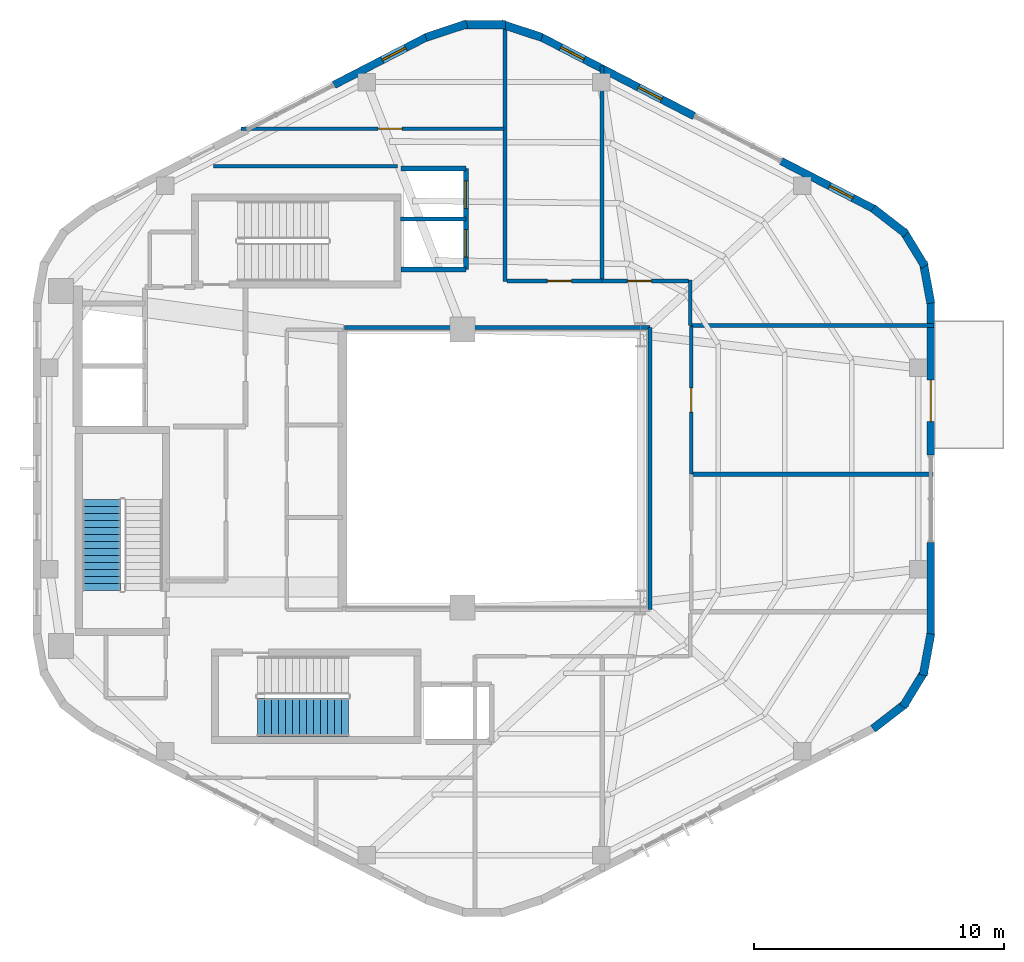
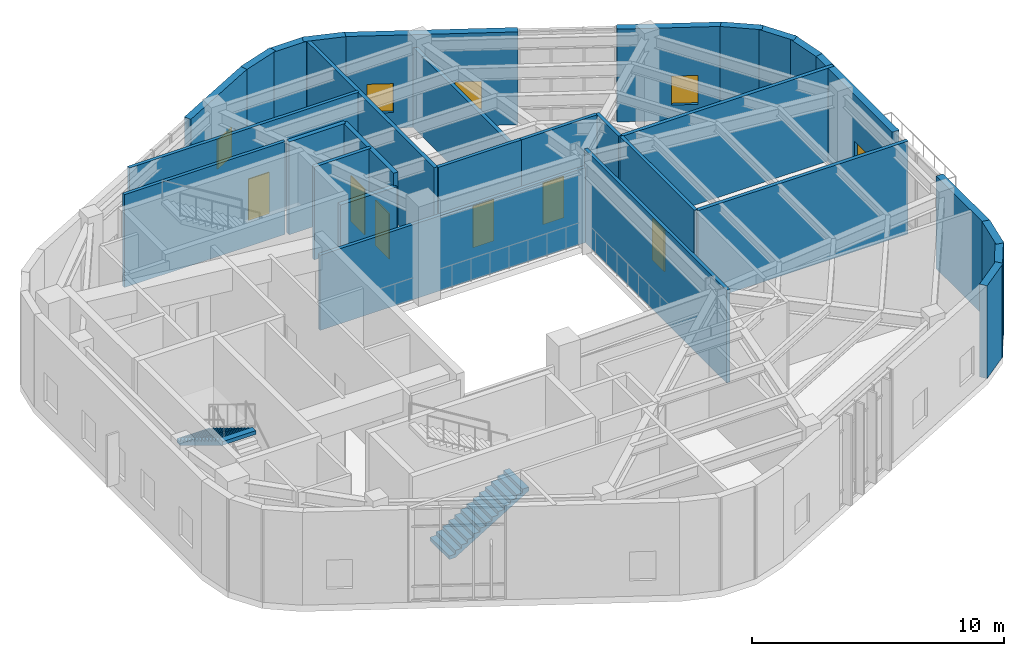
# One storey, part 16 of 19: 30 walls, 7 doors, 4 windows, 2 stair flights, 11 openings, 2 elements without a shape of their own.
"""IFC4 building model written with IfcOpenShell, lengths in metres."""

import ifcopenshell
import ifcopenshell.guid

model = None  # the IFC model being written
_history = None  # IfcOwnerHistory: only IFC2X3 demands one
_inside = {}  # id of a spatial element -> (the spatial element, [elements in it])
_under = {}  # id of a project, library or spatial element -> (it, [spatial elements below it])
_declared = {}  # id of a project -> (the project, [libraries it declares])
_typed = {}  # id of a type object -> (the type object, [elements of that type])
_made_of = {}  # id of a material, layer set ... -> (it, [elements and type objects made of it])


def new_model(schema):
    """Start an empty IFC model of exactly this schema.

    Asked for "IFC4X3", IfcOpenShell would pick the latest addendum, in which some entities
    have other attributes; the version numbers below select the first issue.
    IFC2X3 requires an IfcOwnerHistory on every rooted entity: one is made here for all.
    """
    global model, _history
    if schema == "IFC4X3":
        model = ifcopenshell.file(schema_version=(4, 3, 0, 0))
    else:
        model = ifcopenshell.file(schema=schema)
    _inside.clear()
    _under.clear()
    _declared.clear()
    _typed.clear()
    _made_of.clear()
    _history = None
    if model.schema == "IFC2X3":
        org = make("IfcOrganization", Name="unknown")
        user = make(
            "IfcPersonAndOrganization",
            ThePerson=make("IfcPerson", FamilyName="unknown"),
            TheOrganization=org,
        )
        app = make(
            "IfcApplication",
            ApplicationDeveloper=org,
            Version="unknown",
            ApplicationFullName="unknown",
            ApplicationIdentifier="unknown",
        )
        _history = make(
            "IfcOwnerHistory",
            OwningUser=user,
            OwningApplication=app,
            ChangeAction="ADDED",
            CreationDate=0,
        )
    return model


def make(cls, **values):
    """One entity of the class cls with the attributes given. An attribute that is None is left unset."""
    return model.create_entity(
        cls, **{name: value for name, value in values.items() if value is not None}
    )


def rooted(cls, **values):
    """An entity with a GlobalId (a new one), such as an element, a storey or a relation."""
    return make(cls, GlobalId=ifcopenshell.guid.new(), OwnerHistory=_history, **values)


def si_unit(unit_type, name, prefix=None):
    """IfcSIUnit, for example si_unit("LENGTHUNIT", "METRE", prefix="MILLI")."""
    return make("IfcSIUnit", UnitType=unit_type, Prefix=prefix, Name=name)


def assignment(units):
    """IfcUnitAssignment: the units of a project."""
    return None if units is None else make("IfcUnitAssignment", Units=units)


def point(xyz):
    """IfcCartesianPoint."""
    return None if xyz is None else make("IfcCartesianPoint", Coordinates=xyz)


def direction(xyz):
    """IfcDirection."""
    return None if xyz is None else make("IfcDirection", DirectionRatios=xyz)


def frame(location, z_axis=None, x_axis=None):
    """IfcAxis2Placement3D, a coordinate frame: its origin and axes. An axis left out is left unset."""
    return make(
        "IfcAxis2Placement3D",
        Location=point(location),
        Axis=direction(z_axis),
        RefDirection=direction(x_axis),
    )


def frame_2d(location, x_axis=None):
    """IfcAxis2Placement2D, a coordinate frame in the plane: its origin and x axis."""
    return make(
        "IfcAxis2Placement2D", Location=point(location), RefDirection=direction(x_axis)
    )


def origin():
    """The frame at (0, 0, 0) with its axes left unset."""
    return frame((0.0, 0.0, 0.0))


def place(relative_to, where):
    """IfcLocalPlacement: puts the frame where relative to a parent placement (None: the world)."""
    return make(
        "IfcLocalPlacement", PlacementRelTo=relative_to, RelativePlacement=where
    )


def context(
    kind, dimensions, precision=None, world=None, true_north=None, identifier=None
):
    """IfcGeometricRepresentationContext, for example the 3D "Model" context."""
    return make(
        "IfcGeometricRepresentationContext",
        ContextIdentifier=identifier,
        ContextType=kind,
        CoordinateSpaceDimension=dimensions,
        Precision=precision,
        WorldCoordinateSystem=world,
        TrueNorth=true_north,
    )


def subcontext(parent, identifier, kind, view, scale=None):
    """IfcGeometricRepresentationSubContext, for example "Body" below "Model"."""
    return make(
        "IfcGeometricRepresentationSubContext",
        ContextIdentifier=identifier,
        ContextType=kind,
        ParentContext=parent,
        TargetScale=scale,
        TargetView=view,
    )


def project(units=None, contexts=None):
    """IfcProject with its units and contexts."""
    return rooted(
        "IfcProject",
        Name="project",
        RepresentationContexts=contexts,
        UnitsInContext=assignment(units),
    )


def spatial(cls, under=None, at=None, **own):
    """A site, building, storey or space (cls), placed at a placement, below another one or the project."""
    s = rooted(cls, ObjectPlacement=at, **own)
    if under is not None:
        _under.setdefault(under.id(), (under, []))[1].append(s)
    return s


def polyline(points):
    """IfcPolyline through the points."""
    return make("IfcPolyline", Points=[point(p) for p in points])


def profile(cls, at=None, kind="AREA", **sizes):
    """A parametric profile (cls). Its sizes go by their IFC names, for example OverallWidth=200.0."""
    return make(cls, ProfileType=kind, Position=at, **sizes)


def rectangle(**sizes):
    """IfcRectangleProfileDef."""
    return profile("IfcRectangleProfileDef", **sizes)


def outline(outer, holes=None, kind="AREA"):
    """IfcArbitraryClosedProfileDef: a profile drawn as a closed curve; with holes, ...WithVoids."""
    if holes is None:
        return make("IfcArbitraryClosedProfileDef", ProfileType=kind, OuterCurve=outer)
    return make(
        "IfcArbitraryProfileDefWithVoids",
        ProfileType=kind,
        OuterCurve=outer,
        InnerCurves=holes,
    )


def extrude(swept, where, along, depth):
    """IfcExtrudedAreaSolid: the profile swept, set in the frame where, extruded along a direction by depth."""
    return make(
        "IfcExtrudedAreaSolid",
        SweptArea=swept,
        Position=where,
        ExtrudedDirection=direction(along),
        Depth=depth,
    )


def shape(context_of_items, identifier, shape_type, items):
    """IfcShapeRepresentation: the items that make up one representation, for example the "Body"."""
    return make(
        "IfcShapeRepresentation",
        ContextOfItems=context_of_items,
        RepresentationIdentifier=identifier,
        RepresentationType=shape_type,
        Items=items,
    )


def material(Name=None, Category=None):
    """IfcMaterial."""
    return make("IfcMaterial", Name=Name, Category=Category)


def layer(
    of_material, thickness, ventilated=None, Name=None, Category=None, Priority=None
):
    """IfcMaterialLayer: one layer of a wall or slab, of a material (None: an air gap)."""
    return make(
        "IfcMaterialLayer",
        Material=of_material,
        LayerThickness=thickness,
        IsVentilated=ventilated,
        Name=Name,
        Category=Category,
        Priority=Priority,
    )


def layer_set(layers, Name=None):
    """IfcMaterialLayerSet."""
    return make("IfcMaterialLayerSet", MaterialLayers=layers, LayerSetName=Name)


def made_of(thing, what):
    """Note that an element or type object is made of a material, layer set ...; save() writes the relation."""
    if what is not None:
        _made_of.setdefault(what.id(), (what, []))[1].append(thing)
    return thing


def type_object(cls, material=None, **own):
    """A type object (cls), such as IfcWallType, which elements share."""
    return made_of(rooted(cls, **own), material)


def element(
    cls,
    number,
    at=None,
    inside=None,
    cuts=None,
    type_object=None,
    material=None,
    context=None,
    identifier="Body",
    shape_type=None,
    held_by="IfcProductDefinitionShape",
    body=None,
    shapes=None,
    **own,
):
    """One element of the class cls, such as IfcWall. Its Tag is "e" and its number.

    at: its placement. inside: the storey or other place that contains it. cuts: it is an
    opening in that element (IfcRelVoidsElement). A single representation is given by context,
    identifier, shape_type and body (its items); several are given by shapes. held_by: the class
    of the entity that holds the representations. save() writes the other relations.
    """
    e = rooted(cls, Tag="e%d" % number, ObjectPlacement=at, **own)
    if body is not None:
        shapes = [shape(context, identifier, shape_type, body)]
    if shapes is not None:
        e.Representation = make(held_by, Representations=shapes)
    if inside is not None:
        _inside.setdefault(inside.id(), (inside, []))[1].append(e)
    if cuts is not None:
        rooted(
            "IfcRelVoidsElement", RelatingBuildingElement=cuts, RelatedOpeningElement=e
        )
    if type_object is not None:
        _typed.setdefault(type_object.id(), (type_object, []))[1].append(e)
    return made_of(e, material)


def fill(opening, filler):
    """IfcRelFillsElement: the door or window that sits in an opening."""
    return rooted(
        "IfcRelFillsElement",
        RelatingOpeningElement=opening,
        RelatedBuildingElement=filler,
    )


def aggregate(whole, parts):
    """IfcRelAggregates: a whole, such as a stair, and the parts it consists of."""
    return rooted("IfcRelAggregates", RelatingObject=whole, RelatedObjects=parts)


def save(model, path):
    """Write the relations noted so far, then the file.

    IfcRelAggregates (storeys below a building ...), IfcRelContainedInSpatialStructure (elements
    in a storey), IfcRelDefinesByType, IfcRelAssociatesMaterial and IfcRelDeclares: one each for
    every whole, place, type object, material and project.
    """
    for whole, parts in _under.values():
        aggregate(whole, parts)
    for where, things in _inside.values():
        rooted(
            "IfcRelContainedInSpatialStructure",
            RelatedElements=things,
            RelatingStructure=where,
        )
    for kind, things in _typed.values():
        rooted("IfcRelDefinesByType", RelatedObjects=things, RelatingType=kind)
    for what, things in _made_of.values():
        rooted("IfcRelAssociatesMaterial", RelatedObjects=things, RelatingMaterial=what)
    for by, libraries in _declared.values():
        rooted("IfcRelDeclares", RelatingContext=by, RelatedDefinitions=libraries)
    model.write(path)


model = new_model("IFC4")

# Units and contexts
model_context = context("Model", 3, precision=1e-05, world=origin(), true_north=direction((0.0, 1.0)))
body_context = subcontext(model_context, "Body", "Model", "MODEL_VIEW")
ifc_project = project(units=[si_unit("LENGTHUNIT", "METRE"), si_unit("AREAUNIT", "SQUARE_METRE"), si_unit("VOLUMEUNIT", "CUBIC_METRE"), si_unit("PLANEANGLEUNIT", "RADIAN"), si_unit("MASSUNIT", "GRAM", prefix="KILO"), si_unit("THERMODYNAMICTEMPERATUREUNIT", "KELVIN"), si_unit("POWERUNIT", "WATT")], contexts=[model_context])

# Site, building, storey
site_placement = place(None, origin())
site = spatial("IfcSite", under=ifc_project, at=site_placement, CompositionType="ELEMENT")
building_placement = place(site_placement, origin())
building = spatial("IfcBuilding", under=site, at=building_placement, Name="Skarre Station Tower", CompositionType="ELEMENT")
storey_placement = place(building_placement, frame((0.0, 0.0, 275.10009765625)))
storey = spatial("IfcBuildingStorey", under=building, at=storey_placement, Name="L75", CompositionType="ELEMENT", Elevation=275.10009765625)

# Walls
ifc_material_1 = material(Name="Acoustic Steel-Stud Gypsum Partition", Category="steel")
ifc_layer_1 = layer(ifc_material_1, 0.14990234375, Name="Acoustic Steel-Stud Gypsum Partition")
ifc_layer_set_1 = layer_set([ifc_layer_1], Name="Acoustic Steel-Stud Gypsum Partition")
wall_type_1 = type_object("IfcWallType", Name="Fire-Rated Corridor Acoustic Partition 150", PredefinedType="PARTITIONING", material=ifc_layer_set_1)
wall_1_placement = place(storey_placement, frame((39.840087890625, 29.639892578125, 0.0), z_axis=(0.0, 0.0, 1.0), x_axis=(-1.0, 0.0, 0.0)))
element("IfcWall", 1, at=wall_1_placement, inside=storey, type_object=wall_type_1, Name="L75 Interior Partition WL-PT-L75-ATRW-N", PredefinedType="PARTITIONING", context=body_context, shape_type="SweptSolid", body=[
    extrude(rectangle(XDim=12.203125, YDim=0.14990234375, at=frame_2d((6.1015625, 0.0))), origin(), (0.0, 0.0, 1.0), 3.630859375),
])
wall_2_placement = place(storey_placement, frame((39.840087890625, 18.360107421875, 0.0), z_axis=(0.0, 0.0, 1.0), x_axis=(0.0, 1.0, 0.0)))
element("IfcWall", 2, at=wall_2_placement, inside=storey, type_object=wall_type_1, Name="L75 Interior Partition WL-PT-L75-ATRW-E", PredefinedType="PARTITIONING", context=body_context, shape_type="SweptSolid", body=[
    extrude(rectangle(XDim=11.27978515625, YDim=0.14990234375, at=frame_2d((5.639892578125, 0.0))), origin(), (0.0, 0.0, 1.0), 4.489990234375),
])

# Wall, opening, door
wall_3_placement = place(storey_placement, frame((34.0, 37.580078125, 0.0), z_axis=(0.0, 0.0, 1.0), x_axis=(-1.0, 0.0, 0.0)))
wall_3 = element("IfcWall", 3, at=wall_3_placement, inside=storey, type_object=wall_type_1, Name="L75 Interior Partition WL-PT-L75-CRNNW1-CW", PredefinedType="PARTITIONING", context=body_context, shape_type="SweptSolid", body=[
    extrude(rectangle(XDim=10.5009765625, YDim=0.14990234375, at=frame_2d((5.25048828125, 0.0))), origin(), (0.0, 0.0, 1.0), 4.489990234375),
])
opening_1_placement = place(wall_3_placement, frame((4.070068359375, 0.0, 0.0)))
opening_1 = element("IfcOpeningElement", 4, at=opening_1_placement, cuts=wall_3, Name="Opening DR-FD60", PredefinedType="OPENING", context=body_context, shape_type="SweptSolid", body=[
    extrude(rectangle(XDim=0.9599609375, YDim=2.0, at=frame_2d((0.47998046875, 1.0))), frame((0.0, 0.0849609375, 0.0), z_axis=(0.0, -1.0, 0.0), x_axis=(1.0, 0.0, 0.0)), (0.0, 0.0, 1.0), 0.169921875),
])
ifc_material_2 = material(Name="Nordic White-Oak Veneer Solid-Core Fire Leaf", Category="wood")
door_type_1 = type_object("IfcDoorType", Name="Corridor Suite Entry Fire Door FD60 960x2150", OperationType="SINGLE_SWING_LEFT", PredefinedType="DOOR", material=ifc_material_2)
door_1_placement = place(opening_1_placement, origin())
door_1 = element("IfcDoor", 5, at=door_1_placement, inside=storey, type_object=door_type_1, Name="L75 CRNNW1 Entry Door", OperationType="SINGLE_SWING_LEFT", OverallHeight=2.0, OverallWidth=0.9599609375, PredefinedType="DOOR", context=body_context, shape_type="SweptSolid", body=[
    extrude(rectangle(XDim=0.9599609375, YDim=2.0, at=frame_2d((0.47998046875, 1.0))), frame((0.0, 0.02490234375, 0.0), z_axis=(0.0, -1.0, 0.0), x_axis=(1.0, 0.0, 0.0)), (0.0, 0.0, 1.0), 0.050048828125),
])
fill(opening_1, door_1)

# Wall
wall_4_placement = place(storey_placement, frame((41.449951171875, 29.719970703125, 0.0), z_axis=(0.0, 0.0, 1.0), x_axis=(0.0, 1.0, 0.0)))
element("IfcWall", 6, at=wall_4_placement, inside=storey, type_object=wall_type_1, Name="L75 Interior Partition WL-PT-L75-CRNN-ERET", PredefinedType="PARTITIONING", context=body_context, shape_type="SweptSolid", body=[
    extrude(rectangle(XDim=1.820068359375, YDim=0.14990234375, at=frame_2d((0.91015625, 0.0))), origin(), (0.0, 0.0, 1.0), 4.489990234375),
])

# Wall, opening, door
wall_5_placement = place(storey_placement, frame((37.912109375, 31.5, 0.0), z_axis=(0.0, 0.0, 1.0), x_axis=(-1.0, 0.0, 0.0)))
wall_5 = element("IfcWall", 7, at=wall_5_placement, inside=storey, type_object=wall_type_1, Name="L75 Interior Partition WL-PT-L75-CRNN1-CW", PredefinedType="PARTITIONING", context=body_context, shape_type="SweptSolid", body=[
    extrude(rectangle(XDim=3.795166015625, YDim=0.14990234375, at=frame_2d((1.8974609375, 0.0))), origin(), (0.0, 0.0, 1.0), 4.489990234375),
])
opening_2_placement = place(wall_5_placement, frame((1.2119140625, 0.0, 0.0)))
opening_2 = element("IfcOpeningElement", 8, at=opening_2_placement, cuts=wall_5, Name="Opening DR-FD60", PredefinedType="OPENING", context=body_context, shape_type="SweptSolid", body=[
    extrude(rectangle(XDim=0.9599609375, YDim=2.0, at=frame_2d((0.47998046875, 1.0))), frame((0.0, 0.0849609375, 0.0), z_axis=(0.0, -1.0, 0.0), x_axis=(1.0, 0.0, 0.0)), (0.0, 0.0, 1.0), 0.169921875),
])
door_2_placement = place(opening_2_placement, origin())
door_2 = element("IfcDoor", 9, at=door_2_placement, inside=storey, type_object=door_type_1, Name="L75 CRNN1 Entry Door", OperationType="SINGLE_SWING_LEFT", OverallHeight=2.0, OverallWidth=0.9599609375, PredefinedType="DOOR", context=body_context, shape_type="SweptSolid", body=[
    extrude(rectangle(XDim=0.9599609375, YDim=2.0, at=frame_2d((0.47998046875, 1.0))), frame((0.0, 0.02490234375, 0.0), z_axis=(0.0, -1.0, 0.0), x_axis=(1.0, 0.0, 0.0)), (0.0, 0.0, 1.0), 0.050048828125),
])
fill(opening_2, door_2)

wall_6_placement = place(storey_placement, frame((41.3798828125, 31.5, 0.0), z_axis=(0.0, 0.0, 1.0), x_axis=(-1.0, 0.0, 0.0)))
wall_6 = element("IfcWall", 10, at=wall_6_placement, inside=storey, type_object=wall_type_1, Name="L75 Interior Partition WL-PT-L75-CRNN2-CW", PredefinedType="PARTITIONING", context=body_context, shape_type="SweptSolid", body=[
    extrude(rectangle(XDim=3.457763671875, YDim=0.14990234375, at=frame_2d((1.72900390625, 0.0))), origin(), (0.0, 0.0, 1.0), 4.489990234375),
])
opening_3_placement = place(wall_6_placement, frame((1.48388671875, 0.0, 0.0)))
opening_3 = element("IfcOpeningElement", 11, at=opening_3_placement, cuts=wall_6, Name="Opening DR-FD60", PredefinedType="OPENING", context=body_context, shape_type="SweptSolid", body=[
    extrude(rectangle(XDim=0.9599609375, YDim=2.0, at=frame_2d((0.47998046875, 1.0))), frame((0.0, 0.0849609375, 0.0), z_axis=(0.0, -1.0, 0.0), x_axis=(1.0, 0.0, 0.0)), (0.0, 0.0, 1.0), 0.169921875),
])
door_3_placement = place(opening_3_placement, origin())
door_3 = element("IfcDoor", 12, at=door_3_placement, inside=storey, type_object=door_type_1, Name="L75 CRNN2 Entry Door", OperationType="SINGLE_SWING_LEFT", OverallHeight=2.0, OverallWidth=0.9599609375, PredefinedType="DOOR", context=body_context, shape_type="SweptSolid", body=[
    extrude(rectangle(XDim=0.9599609375, YDim=2.0, at=frame_2d((0.47998046875, 1.0))), frame((0.0, 0.02490234375, 0.0), z_axis=(0.0, -1.0, 0.0), x_axis=(1.0, 0.0, 0.0)), (0.0, 0.0, 1.0), 0.050048828125),
])
fill(opening_3, door_3)

wall_7_placement = place(storey_placement, frame((41.489990234375, 23.791015625, 0.0), z_axis=(0.0, 0.0, 1.0), x_axis=(0.0, 1.0, 0.0)))
wall_7 = element("IfcWall", 13, at=wall_7_placement, inside=storey, type_object=wall_type_1, Name="L75 Interior Partition WL-PT-L75-CRNE2-CW", PredefinedType="PARTITIONING", context=body_context, shape_type="SweptSolid", body=[
    extrude(rectangle(XDim=5.888916015625, YDim=0.14990234375, at=frame_2d((2.9443359375, 0.0))), origin(), (0.0, 0.0, 1.0), 4.489990234375),
])
opening_4_placement = place(wall_7_placement, frame((2.465087890625, 0.0, 0.0)))
opening_4 = element("IfcOpeningElement", 14, at=opening_4_placement, cuts=wall_7, Name="Opening DR-FD60", PredefinedType="OPENING", context=body_context, shape_type="SweptSolid", body=[
    extrude(rectangle(XDim=0.9599609375, YDim=2.0, at=frame_2d((0.47998046875, 1.0))), frame((0.0, 0.0849609375, 0.0), z_axis=(0.0, -1.0, 0.0), x_axis=(1.0, 0.0, 0.0)), (0.0, 0.0, 1.0), 0.169921875),
])
door_4_placement = place(opening_4_placement, origin())
door_4 = element("IfcDoor", 15, at=door_4_placement, inside=storey, type_object=door_type_1, Name="L75 CRNE2 Entry Door", OperationType="SINGLE_SWING_LEFT", OverallHeight=2.0, OverallWidth=0.9599609375, PredefinedType="DOOR", context=body_context, shape_type="SweptSolid", body=[
    extrude(rectangle(XDim=0.9599609375, YDim=2.0, at=frame_2d((0.47998046875, 1.0))), frame((0.0, 0.02490234375, 0.0), z_axis=(0.0, -1.0, 0.0), x_axis=(1.0, 0.0, 0.0)), (0.0, 0.0, 1.0), 0.050048828125),
])
fill(opening_4, door_4)

# Walls
wall_8_placement = place(storey_placement, frame((29.7529296875, 36.080078125, 0.0), z_axis=(0.0, 0.0, 1.0), x_axis=(-1.0, 0.0, 0.0)))
element("IfcWall", 16, at=wall_8_placement, inside=storey, type_object=wall_type_1, Name="L75 Interior Partition WL-PT-L75-CSEAL-1", PredefinedType="PARTITIONING", context=body_context, shape_type="SweptSolid", body=[
    extrude(rectangle(XDim=7.35302734375, YDim=0.14990234375, at=frame_2d((3.676513671875, 0.0))), origin(), (0.0, 0.0, 1.0), 4.489990234375),
])
ifc_material_3 = material(Name="Precast concrete C45/55", Category="concrete")
ifc_layer_2 = layer(ifc_material_3, 0.330078125, Name="Precast concrete C45/55")
ifc_layer_set_2 = layer_set([ifc_layer_2], Name="Precast concrete C45/55")
wall_type_2 = type_object("IfcWallType", Name="Nordic Rounded Corner Precast Wall 330", PredefinedType="STANDARD", material=ifc_layer_set_2)
wall_9_placement = place(storey_placement, frame((48.7529296875, 34.40087890625, 0.0), z_axis=(0.0, 0.0, 1.0), x_axis=(0.790691856293, -0.61221433207, 0.0)))
element("IfcWall", 17, at=wall_9_placement, inside=storey, type_object=wall_type_2, Name="L75 Rounded Corner Precast Wall F0-1", PredefinedType="STANDARD", context=body_context, shape_type="SweptSolid", body=[
    extrude(rectangle(XDim=1.67578125, YDim=0.330078125, at=frame_2d((0.837890625, 0.0))), origin(), (0.0, 0.0, 1.0), 4.489990234375),
])
wall_10_placement = place(storey_placement, frame((49.952880859375, 33.514892578125, 0.0), z_axis=(0.0, 0.0, 1.0), x_axis=(0.520325409202, -0.853968072318, 0.0)))
element("IfcWall", 18, at=wall_10_placement, inside=storey, type_object=wall_type_2, Name="L75 Rounded Corner Precast Wall F0-2", PredefinedType="STANDARD", context=body_context, shape_type="SweptSolid", body=[
    extrude(rectangle(XDim=1.677978515625, YDim=0.330078125, at=frame_2d((0.8388671875, 0.0))), origin(), (0.0, 0.0, 1.0), 4.489990234375),
])
wall_11_placement = place(storey_placement, frame((50.759033203125, 32.257080078125, 0.0), z_axis=(0.0, 0.0, 1.0), x_axis=(0.180691763044, -0.983539773862, 0.0)))
element("IfcWall", 19, at=wall_11_placement, inside=storey, type_object=wall_type_2, Name="L75 Rounded Corner Precast Wall F0-3", PredefinedType="STANDARD", context=body_context, shape_type="SweptSolid", body=[
    extrude(rectangle(XDim=1.6767578125, YDim=0.330078125, at=frame_2d((0.83837890625, 0.0))), origin(), (0.0, 0.0, 1.0), 4.489990234375),
])
wall_12_placement = place(storey_placement, frame((30.882080078125, 41.23095703125, 0.0), z_axis=(0.0, 0.0, 1.0), x_axis=(0.949713440491, 0.313120393699, 0.0)))
element("IfcWall", 20, at=wall_12_placement, inside=storey, type_object=wall_type_2, Name="L75 Rounded Corner Precast Wall F1-1", PredefinedType="STANDARD", context=body_context, shape_type="SweptSolid", body=[
    extrude(rectangle(XDim=1.7216796875, YDim=0.330078125, at=frame_2d((0.86083984375, 0.0))), origin(), (0.0, 0.0, 1.0), 4.489990234375),
])
wall_13_placement = place(storey_placement, frame((32.339111328125, 41.740966796875, 0.0), z_axis=(0.0, 0.0, 1.0), x_axis=(1.0, 0.0, 0.0)))
element("IfcWall", 21, at=wall_13_placement, inside=storey, type_object=wall_type_2, Name="L75 Rounded Corner Precast Wall F1-2", PredefinedType="STANDARD", context=body_context, shape_type="SweptSolid", body=[
    extrude(rectangle(XDim=1.721923828125, YDim=0.330078125, at=frame_2d((0.86083984375, 0.0))), origin(), (0.0, 0.0, 1.0), 4.489990234375),
])
wall_14_placement = place(storey_placement, frame((33.883056640625, 41.77001953125, 0.0), z_axis=(0.0, 0.0, 1.0), x_axis=(0.949713440491, -0.313120393699, 0.0)))
element("IfcWall", 22, at=wall_14_placement, inside=storey, type_object=wall_type_2, Name="L75 Rounded Corner Precast Wall F1-3", PredefinedType="STANDARD", context=body_context, shape_type="SweptSolid", body=[
    extrude(rectangle(XDim=1.7216796875, YDim=0.330078125, at=frame_2d((0.86083984375, 0.0))), origin(), (0.0, 0.0, 1.0), 4.489990234375),
])
wall_15_placement = place(storey_placement, frame((51.06201171875, 17.39208984375, 0.0), z_axis=(0.0, 0.0, 1.0), x_axis=(-0.180691763044, -0.983539773862, 0.0)))
element("IfcWall", 23, at=wall_15_placement, inside=storey, type_object=wall_type_2, Name="L75 Rounded Corner Precast Wall F5-1", PredefinedType="STANDARD", context=body_context, shape_type="SweptSolid", body=[
    extrude(rectangle(XDim=1.6767578125, YDim=0.330078125, at=frame_2d((0.83837890625, 0.0))), origin(), (0.0, 0.0, 1.0), 4.489990234375),
])
wall_16_placement = place(storey_placement, frame((50.825927734375, 15.91796875, 0.0), z_axis=(0.0, 0.0, 1.0), x_axis=(-0.520325409202, -0.853968072318, 0.0)))
element("IfcWall", 24, at=wall_16_placement, inside=storey, type_object=wall_type_2, Name="L75 Rounded Corner Precast Wall F5-2", PredefinedType="STANDARD", context=body_context, shape_type="SweptSolid", body=[
    extrude(rectangle(XDim=1.677978515625, YDim=0.330078125, at=frame_2d((0.8388671875, 0.0))), origin(), (0.0, 0.0, 1.0), 4.489990234375),
])
wall_17_placement = place(storey_placement, frame((50.077880859375, 14.625, 0.0), z_axis=(0.0, 0.0, 1.0), x_axis=(-0.790691856293, -0.61221433207, 0.0)))
element("IfcWall", 25, at=wall_17_placement, inside=storey, type_object=wall_type_2, Name="L75 Rounded Corner Precast Wall F5-3", PredefinedType="STANDARD", context=body_context, shape_type="SweptSolid", body=[
    extrude(rectangle(XDim=1.67578125, YDim=0.330078125, at=frame_2d((0.837890625, 0.0))), origin(), (0.0, 0.0, 1.0), 4.489990234375),
])

# Wall, openings, windows
ifc_layer_3 = layer(ifc_material_3, 0.31005859375, Name="Precast concrete C45/55")
ifc_layer_set_3 = layer_set([ifc_layer_3], Name="Precast concrete C45/55")
wall_type_3 = type_object("IfcWallType", Name="Nordic Upper-Zone Precast Facet Wall 310", PredefinedType="STANDARD", material=ifc_layer_set_3)
wall_18_placement = place(storey_placement, frame((35.43701171875, 41.27001953125, 0.0), z_axis=(0.0, 0.0, 1.0), x_axis=(0.888622971019, -0.458638436437, 0.0)))
wall_18 = element("IfcWall", 26, at=wall_18_placement, inside=storey, type_object=wall_type_3, Name="L75 Facet 0 Pier A", PredefinedType="STANDARD", context=body_context, shape_type="SweptSolid", body=[
    extrude(rectangle(XDim=6.935546875, YDim=0.31005859375, at=frame_2d((3.4677734375, 0.0))), origin(), (0.0, 0.0, 1.0), 4.489990234375),
])
opening_5_placement = place(wall_18_placement, frame((0.94189453125, 0.0, 0.75)))
opening_5 = element("IfcOpeningElement", 27, at=opening_5_placement, cuts=wall_18, Name="Opening WN-SLT", PredefinedType="OPENING", context=body_context, shape_type="SweptSolid", body=[
    extrude(rectangle(XDim=1.050048828125, YDim=1.39990234375, at=frame_2d((0.52490234375, 0.699951171875))), frame((0.0, 0.1650390625, 0.0), z_axis=(0.0, -1.0, 0.0), x_axis=(1.0, 0.0, 0.0)), (0.0, 0.0, 1.0), 0.330078125),
])
opening_6_placement = place(wall_18_placement, frame((4.43505859375, 0.0, 0.75)))
opening_6 = element("IfcOpeningElement", 28, at=opening_6_placement, cuts=wall_18, Name="Opening WN-SLT", PredefinedType="OPENING", context=body_context, shape_type="SweptSolid", body=[
    extrude(rectangle(XDim=1.050048828125, YDim=1.39990234375, at=frame_2d((0.52490234375, 0.699951171875))), frame((0.0, 0.1650390625, 0.0), z_axis=(0.0, -1.0, 0.0), x_axis=(1.0, 0.0, 0.0)), (0.0, 0.0, 1.0), 0.330078125),
])
ifc_material_4 = material(Name="Low-Iron Triple Glazing with Bronze Anodized Frame", Category="glass")
window_type = type_object("IfcWindowType", Name="Nordic Corner Slot Window 1050x1400", PartitioningType="SINGLE_PANEL", PredefinedType="WINDOW", material=ifc_material_4)
window_1_placement = place(opening_5_placement, origin())
window_1 = element("IfcWindow", 29, at=window_1_placement, inside=storey, type_object=window_type, Name="L75 Facade Window WL-FAC-L75-F0A-1", OverallHeight=1.39990234375, OverallWidth=1.050048828125, PartitioningType="SINGLE_PANEL", PredefinedType="WINDOW", context=body_context, shape_type="SweptSolid", body=[
    extrude(rectangle(XDim=1.050048828125, YDim=1.39990234375, at=frame_2d((0.52490234375, 0.699951171875))), frame((0.0, 0.030029296875, 0.0), z_axis=(0.0, -1.0, 0.0), x_axis=(1.0, 0.0, 0.0)), (0.0, 0.0, 1.0), 0.06005859375),
])
fill(opening_5, window_1)
window_2_placement = place(opening_6_placement, origin())
window_2 = element("IfcWindow", 30, at=window_2_placement, inside=storey, type_object=window_type, Name="L75 Facade Window WL-FAC-L75-F0A-2", OverallHeight=1.39990234375, OverallWidth=1.050048828125, PartitioningType="SINGLE_PANEL", PredefinedType="WINDOW", context=body_context, shape_type="SweptSolid", body=[
    extrude(rectangle(XDim=1.050048828125, YDim=1.39990234375, at=frame_2d((0.52490234375, 0.699951171875))), frame((0.0, 0.030029296875, 0.0), z_axis=(0.0, -1.0, 0.0), x_axis=(1.0, 0.0, 0.0)), (0.0, 0.0, 1.0), 0.06005859375),
])
fill(opening_6, window_2)

# Wall, opening, window
wall_19_placement = place(storey_placement, frame((45.0830078125, 36.2900390625, 0.0), z_axis=(0.0, 0.0, 1.0), x_axis=(0.888616094641, -0.45865175934, 0.0)))
wall_19 = element("IfcWall", 31, at=wall_19_placement, inside=storey, type_object=wall_type_3, Name="L75 Facet 0 Pier B", PredefinedType="STANDARD", context=body_context, shape_type="SweptSolid", body=[
    extrude(rectangle(XDim=4.22119140625, YDim=0.31005859375, at=frame_2d((2.110595703125, 0.0))), origin(), (0.0, 0.0, 1.0), 4.489990234375),
])
opening_7_placement = place(wall_19_placement, frame((2.173095703125, 0.0, 0.75)))
opening_7 = element("IfcOpeningElement", 32, at=opening_7_placement, cuts=wall_19, Name="Opening WN-SLT", PredefinedType="OPENING", context=body_context, shape_type="SweptSolid", body=[
    extrude(rectangle(XDim=1.050048828125, YDim=1.39990234375, at=frame_2d((0.52490234375, 0.699951171875))), frame((0.0, 0.1650390625, 0.0), z_axis=(0.0, -1.0, 0.0), x_axis=(1.0, 0.0, 0.0)), (0.0, 0.0, 1.0), 0.330078125),
])
window_3_placement = place(opening_7_placement, origin())
window_3 = element("IfcWindow", 33, at=window_3_placement, inside=storey, type_object=window_type, Name="L75 Facade Window WL-FAC-L75-F0B-1", OverallHeight=1.39990234375, OverallWidth=1.050048828125, PartitioningType="SINGLE_PANEL", PredefinedType="WINDOW", context=body_context, shape_type="SweptSolid", body=[
    extrude(rectangle(XDim=1.050048828125, YDim=1.39990234375, at=frame_2d((0.52490234375, 0.699951171875))), frame((0.0, 0.030029296875, 0.0), z_axis=(0.0, -1.0, 0.0), x_axis=(1.0, 0.0, 0.0)), (0.0, 0.0, 1.0), 0.06005859375),
])
fill(opening_7, window_3)

wall_20_placement = place(storey_placement, frame((27.2119140625, 39.333984375, 0.0), z_axis=(0.0, 0.0, 1.0), x_axis=(0.888616094641, 0.45865175934, 0.0)))
wall_20 = element("IfcWall", 34, at=wall_20_placement, inside=storey, type_object=wall_type_3, Name="L75 Facet 1 Pier B", PredefinedType="STANDARD", context=body_context, shape_type="SweptSolid", body=[
    extrude(rectangle(XDim=4.22119140625, YDim=0.31005859375, at=frame_2d((2.110595703125, 0.0))), origin(), (0.0, 0.0, 1.0), 4.489990234375),
])
opening_8_placement = place(wall_20_placement, frame((2.174072265625, 0.0, 0.75)))
opening_8 = element("IfcOpeningElement", 35, at=opening_8_placement, cuts=wall_20, Name="Opening WN-SLT", PredefinedType="OPENING", context=body_context, shape_type="SweptSolid", body=[
    extrude(rectangle(XDim=1.050048828125, YDim=1.39990234375, at=frame_2d((0.52490234375, 0.699951171875))), frame((0.0, 0.1650390625, 0.0), z_axis=(0.0, -1.0, 0.0), x_axis=(1.0, 0.0, 0.0)), (0.0, 0.0, 1.0), 0.330078125),
])
window_4_placement = place(opening_8_placement, origin())
window_4 = element("IfcWindow", 36, at=window_4_placement, inside=storey, type_object=window_type, Name="L75 Facade Window WL-FAC-L75-F1B-1", OverallHeight=1.39990234375, OverallWidth=1.050048828125, PartitioningType="SINGLE_PANEL", PredefinedType="WINDOW", context=body_context, shape_type="SweptSolid", body=[
    extrude(rectangle(XDim=1.050048828125, YDim=1.39990234375, at=frame_2d((0.52490234375, 0.699951171875))), frame((0.0, 0.030029296875, 0.0), z_axis=(0.0, -1.0, 0.0), x_axis=(1.0, 0.0, 0.0)), (0.0, 0.0, 1.0), 0.06005859375),
])
fill(opening_8, window_4)

# Wall, opening, door
wall_21_placement = place(storey_placement, frame((51.05810546875, 30.701904296875, 0.0), z_axis=(0.0, 0.0, 1.0), x_axis=(0.0, -1.0, 0.0)))
wall_21 = element("IfcWall", 37, at=wall_21_placement, inside=storey, type_object=wall_type_3, Name="L75 Facet 5 Pier A", PredefinedType="STANDARD", context=body_context, shape_type="SweptSolid", body=[
    extrude(rectangle(XDim=6.166015625, YDim=0.31005859375, at=frame_2d((3.0830078125, 0.0))), origin(), (0.0, 0.0, 1.0), 4.489990234375),
])
opening_9_placement = place(wall_21_placement, frame((3.172119140625, 0.0, 0.0)))
opening_9 = element("IfcOpeningElement", 38, at=opening_9_placement, cuts=wall_21, Name="Opening DR-SGD165", PredefinedType="OPENING", context=body_context, shape_type="SweptSolid", body=[
    extrude(rectangle(XDim=1.64990234375, YDim=2.25, at=frame_2d((0.824951171875, 1.125))), frame((0.0, 0.1650390625, 0.0), z_axis=(0.0, -1.0, 0.0), x_axis=(1.0, 0.0, 0.0)), (0.0, 0.0, 1.0), 0.330078125),
])
ifc_material_5 = material(Name="Thermally Broken Aluminium & Triple Glazing", Category="aluminium")
door_type_2 = type_object("IfcDoorType", Name="Sky-Garden Double Glazed Terrace Door 1650x2250", OperationType="DOUBLE_DOOR_SINGLE_SWING", PredefinedType="DOOR", material=ifc_material_5)
door_5_placement = place(opening_9_placement, origin())
door_5 = element("IfcDoor", 39, at=door_5_placement, inside=storey, type_object=door_type_2, Name="L75 Open Observation Lookout Terrace Door", OperationType="SINGLE_SWING_LEFT", OverallHeight=2.25, OverallWidth=1.64990234375, PredefinedType="DOOR", context=body_context, shape_type="SweptSolid", body=[
    extrude(rectangle(XDim=1.64990234375, YDim=2.25, at=frame_2d((0.824951171875, 1.125))), frame((0.0, 0.02490234375, 0.0), z_axis=(0.0, -1.0, 0.0), x_axis=(1.0, 0.0, 0.0)), (0.0, 0.0, 1.0), 0.050048828125),
])
fill(opening_9, door_5)

# Wall
wall_22_placement = place(storey_placement, frame((51.05810546875, 21.051025390625, 0.0), z_axis=(0.0, 0.0, 1.0), x_axis=(0.0, -1.0, 0.0)))
element("IfcWall", 40, at=wall_22_placement, inside=storey, type_object=wall_type_3, Name="L75 Facet 5 Pier B", PredefinedType="STANDARD", context=body_context, shape_type="SweptSolid", body=[
    extrude(rectangle(XDim=3.7529296875, YDim=0.31005859375, at=frame_2d((1.87646484375, 0.0))), origin(), (0.0, 0.0, 1.0), 4.489990234375),
])

# Wall, openings, doors
ifc_material_6 = material(Name="Gypsum Concrete Shaft Assembly C30/37", Category="concrete")
ifc_layer_4 = layer(ifc_material_6, 0.199951171875, Name="Gypsum Concrete Shaft Assembly C30/37")
ifc_layer_set_4 = layer_set([ifc_layer_4], Name="Gypsum Concrete Shaft Assembly C30/37")
wall_type_4 = type_object("IfcWallType", Name="Shaft & Core Fire Partition 200", PredefinedType="PARTITIONING", material=ifc_layer_set_4)
wall_23_placement = place(storey_placement, frame((32.47998046875, 31.949951171875, 0.0), z_axis=(0.0, 0.0, 1.0), x_axis=(0.0, 1.0, 0.0)))
wall_23 = element("IfcWall", 41, at=wall_23_placement, inside=storey, type_object=wall_type_4, Name="L75 Interior Partition WL-PT-L75-EX-E", PredefinedType="PARTITIONING", context=body_context, shape_type="SweptSolid", body=[
    extrude(rectangle(XDim=4.050048828125, YDim=0.199951171875, at=frame_2d((2.02490234375, 0.0))), origin(), (0.0, 0.0, 1.0), 4.489990234375),
])
opening_10_placement = place(wall_23_placement, frame((0.5, 0.0, 0.0)))
opening_10 = element("IfcOpeningElement", 42, at=opening_10_placement, cuts=wall_23, Name="Opening LD-EX1", PredefinedType="OPENING", context=body_context, shape_type="SweptSolid", body=[
    extrude(rectangle(XDim=1.10009765625, YDim=2.199951171875, at=frame_2d((0.550048828125, 1.10009765625))), frame((0.0, 0.10986328125, 0.0), z_axis=(0.0, -1.0, 0.0), x_axis=(1.0, 0.0, 0.0)), (0.0, 0.0, 1.0), 0.219970703125),
])
opening_11_placement = place(wall_23_placement, frame((2.449951171875, 0.0, 0.0)))
opening_11 = element("IfcOpeningElement", 43, at=opening_11_placement, cuts=wall_23, Name="Opening LD-EX2", PredefinedType="OPENING", context=body_context, shape_type="SweptSolid", body=[
    extrude(rectangle(XDim=1.10009765625, YDim=2.199951171875, at=frame_2d((0.550048828125, 1.10009765625))), frame((0.0, 0.10986328125, 0.0), z_axis=(0.0, -1.0, 0.0), x_axis=(1.0, 0.0, 0.0)), (0.0, 0.0, 1.0), 0.219970703125),
])
ifc_material_7 = material(Name="Brushed Bronze Stainless Steel Sliding Leaves", Category="steel")
door_type_3 = type_object("IfcDoorType", Name="Passenger Elevator Center-Parting Sliding Door 1100x2200", OperationType="SLIDING_TO_LEFT", PredefinedType="DOOR", material=ifc_material_7)
door_6_placement = place(opening_10_placement, origin())
door_6 = element("IfcDoor", 44, at=door_6_placement, inside=storey, type_object=door_type_3, Name="L75 Shuttle Lift LF-EX1 Landing Door", OperationType="SLIDING_TO_LEFT", OverallHeight=2.199951171875, OverallWidth=1.10009765625, PredefinedType="DOOR", context=body_context, shape_type="SweptSolid", body=[
    extrude(rectangle(XDim=1.10009765625, YDim=2.199951171875, at=frame_2d((0.550048828125, 1.10009765625))), frame((0.0, 0.02490234375, 0.0), z_axis=(0.0, -1.0, 0.0), x_axis=(1.0, 0.0, 0.0)), (0.0, 0.0, 1.0), 0.050048828125),
])
fill(opening_10, door_6)
door_7_placement = place(opening_11_placement, origin())
door_7 = element("IfcDoor", 45, at=door_7_placement, inside=storey, type_object=door_type_3, Name="L75 Shuttle Lift LF-EX2 Landing Door", OperationType="SLIDING_TO_LEFT", OverallHeight=2.199951171875, OverallWidth=1.10009765625, PredefinedType="DOOR", context=body_context, shape_type="SweptSolid", body=[
    extrude(rectangle(XDim=1.10009765625, YDim=2.199951171875, at=frame_2d((0.550048828125, 1.10009765625))), frame((0.0, 0.02490234375, 0.0), z_axis=(0.0, -1.0, 0.0), x_axis=(1.0, 0.0, 0.0)), (0.0, 0.0, 1.0), 0.050048828125),
])
fill(opening_11, door_7)

# Walls
wall_24_placement = place(storey_placement, frame((29.8798828125, 36.0, 0.0), z_axis=(0.0, 0.0, 1.0), x_axis=(1.0, 0.0, 0.0)))
element("IfcWall", 46, at=wall_24_placement, inside=storey, type_object=wall_type_4, Name="L75 Interior Partition WL-PT-L75-EX-N", PredefinedType="PARTITIONING", context=body_context, shape_type="SweptSolid", body=[
    extrude(rectangle(XDim=2.60009765625, YDim=0.199951171875, at=frame_2d((1.300048828125, 0.0))), origin(), (0.0, 0.0, 1.0), 4.489990234375),
])
wall_25_placement = place(storey_placement, frame((32.47998046875, 31.949951171875, 0.0), z_axis=(0.0, 0.0, 1.0), x_axis=(-1.0, 0.0, 0.0)))
element("IfcWall", 47, at=wall_25_placement, inside=storey, type_object=wall_type_4, Name="L75 Interior Partition WL-PT-L75-EX-S", PredefinedType="PARTITIONING", context=body_context, shape_type="SweptSolid", body=[
    extrude(rectangle(XDim=2.60009765625, YDim=0.199951171875, at=frame_2d((1.300048828125, 0.0))), origin(), (0.0, 0.0, 1.0), 3.8818359375),
])
wall_26_placement = place(storey_placement, frame((29.875, 33.97998046875, 0.0), z_axis=(0.0, 0.0, 1.0), x_axis=(1.0, 0.0, 0.0)))
element("IfcWall", 48, at=wall_26_placement, inside=storey, type_object=wall_type_4, Name="L75 Interior Partition WL-PT-L75-EX-DIV", PredefinedType="PARTITIONING", context=body_context, shape_type="SweptSolid", body=[
    extrude(rectangle(XDim=2.60498046875, YDim=0.159912109375, at=frame_2d((1.302490234375, 0.0))), origin(), (0.0, 0.0, 1.0), 4.489990234375),
])
ifc_layer_5 = layer(ifc_material_1, 0.1650390625, Name="Acoustic Steel-Stud Gypsum Partition")
ifc_layer_set_5 = layer_set([ifc_layer_5], Name="Acoustic Steel-Stud Gypsum Partition")
wall_type_5 = type_object("IfcWallType", Name="Suite Demising Acoustic Partition 165", PredefinedType="PARTITIONING", material=ifc_layer_set_5)
wall_27_placement = place(storey_placement, frame((34.0400390625, 31.47998046875, 0.0), z_axis=(0.0, 0.0, 1.0), x_axis=(0.0, 1.0, 0.0)))
element("IfcWall", 49, at=wall_27_placement, inside=storey, type_object=wall_type_5, Name="L75 Interior Partition WL-PT-L75-CRNN-WBND", PredefinedType="PARTITIONING", context=body_context, shape_type="SweptSolid", body=[
    extrude(rectangle(XDim=10.338134765625, YDim=0.1650390625, at=frame_2d((5.1689453125, 0.0))), origin(), (0.0, 0.0, 1.0), 4.489990234375),
])
wall_28_placement = place(storey_placement, frame((37.9169921875, 31.510009765625, 0.0), z_axis=(0.0, 0.0, 1.0), x_axis=(0.0, 1.0, 0.0)))
element("IfcWall", 50, at=wall_28_placement, inside=storey, type_object=wall_type_5, Name="L75 Interior Partition WL-PT-L75-CRNN-P1", PredefinedType="PARTITIONING", context=body_context, shape_type="SweptSolid", body=[
    extrude(rectangle(XDim=8.575927734375, YDim=0.1650390625, at=frame_2d((4.2880859375, 0.0))), origin(), (0.0, 0.0, 1.0), 3.87890625),
])
wall_29_placement = place(storey_placement, frame((41.449951171875, 29.719970703125, 0.0), z_axis=(0.0, 0.0, 1.0), x_axis=(1.0, 0.0, 0.0)))
element("IfcWall", 51, at=wall_29_placement, inside=storey, type_object=wall_type_5, Name="L75 Interior Partition WL-PT-L75-CRNE-N", PredefinedType="PARTITIONING", context=body_context, shape_type="SweptSolid", body=[
    extrude(rectangle(XDim=9.733154296875, YDim=0.1650390625, at=frame_2d((4.86669921875, 0.0))), origin(), (0.0, 0.0, 1.0), 4.489990234375),
])
wall_30_placement = place(storey_placement, frame((41.52001953125, 23.77294921875, 0.0), z_axis=(0.0, 0.0, 1.0), x_axis=(1.0, 0.0, 0.0)))
element("IfcWall", 52, at=wall_30_placement, inside=storey, type_object=wall_type_5, Name="L75 Interior Partition WL-PT-L75-CRNE-P1", PredefinedType="PARTITIONING", context=body_context, shape_type="SweptSolid", body=[
    extrude(rectangle(XDim=9.623046875, YDim=0.1650390625, at=frame_2d((4.8115234375, 0.0))), origin(), (0.0, 0.0, 1.0), 4.489990234375),
])

# Stair, stair flight
ifc_material_8 = material(Name="Concrete C40/50", Category="concrete")
stair_type_1 = type_object("IfcStairType", Name="Reinforced Concrete Exit Stair ST-1", PredefinedType="HALF_TURN_STAIR", material=ifc_material_8)
stair_1_placement = place(storey_placement, origin())
stair_1 = element("IfcStair", 53, at=stair_1_placement, inside=storey, type_object=stair_type_1, Name="L75 Core Exit Stair ST-1", PredefinedType="HALF_TURN_STAIR")
stair_flight_type_1 = type_object("IfcStairFlightType", Name="Reinforced Concrete Stair Flight ST-1", PredefinedType="STRAIGHT", material=ifc_material_8)
stair_flight_1_placement = place(storey_placement, frame((17.909912109375, 22.760009765625, 2.39990234375), z_axis=(0.0, 0.0, 1.0), x_axis=(0.0, -1.0, 0.0)))
stair_flight_1 = element("IfcStairFlight", 54, at=stair_flight_1_placement, type_object=stair_flight_type_1, Name="ST-1 flight 2", NumberOfRisers=14, NumberOfTreads=13, PredefinedType="STRAIGHT", RiserHeight=0.171428571, TreadLength=0.28, context=body_context, shape_type="SweptSolid", body=[
    extrude(outline(polyline([(0.0, 0.0), (0.0, 0.17138671875), (0.280029296875, 0.17138671875), (0.280029296875, 0.3427734375), (0.56005859375, 0.3427734375), (0.56005859375, 0.514404296875), (0.840087890625, 0.514404296875), (0.840087890625, 0.685791015625), (1.1201171875, 0.685791015625), (1.1201171875, 0.857177734375), (1.39990234375, 0.857177734375), (1.39990234375, 1.028564453125), (1.679931640625, 1.028564453125), (1.679931640625, 1.199951171875), (1.9599609375, 1.199951171875), (1.9599609375, 1.371337890625), (2.239990234375, 1.371337890625), (2.239990234375, 1.54296875), (2.52001953125, 1.54296875), (2.52001953125, 1.71435546875), (2.800048828125, 1.71435546875), (2.800048828125, 1.8857421875), (3.080078125, 1.8857421875), (3.080078125, 2.05712890625), (3.360107421875, 2.05712890625), (3.360107421875, 2.228515625), (3.639892578125, 2.228515625), (3.639892578125, 2.39990234375), (3.639892578125, 2.052734375), (0.287109375, 0.0), (0.0, 0.0)])), frame((0.0, 0.760009765625, 0.0), z_axis=(0.0, -1.0, 0.0), x_axis=(1.0, 0.0, 0.0)), (0.0, 0.0, 1.0), 1.52001953125),
])
aggregate(stair_1, [stair_flight_1])

stair_type_2 = type_object("IfcStairType", Name="Reinforced Concrete Exit Stair ST-2", PredefinedType="HALF_TURN_STAIR", material=ifc_material_8)
stair_2_placement = place(storey_placement, origin())
stair_2 = element("IfcStair", 55, at=stair_2_placement, inside=storey, type_object=stair_type_2, Name="L75 Core Exit Stair ST-2", PredefinedType="HALF_TURN_STAIR")
stair_flight_type_2 = type_object("IfcStairFlightType", Name="Reinforced Concrete Stair Flight ST-2", PredefinedType="STRAIGHT", material=ifc_material_8)
stair_flight_2_placement = place(storey_placement, frame((24.14990234375, 14.06005859375, 0.0), z_axis=(0.0, 0.0, 1.0), x_axis=(1.0, 0.0, 0.0)))
stair_flight_2 = element("IfcStairFlight", 56, at=stair_flight_2_placement, type_object=stair_flight_type_2, Name="ST-2 flight 1", NumberOfRisers=14, NumberOfTreads=13, PredefinedType="STRAIGHT", RiserHeight=0.171428571, TreadLength=0.28, context=body_context, shape_type="SweptSolid", body=[
    extrude(outline(polyline([(0.0, 0.0), (0.0, 0.17138671875), (0.280029296875, 0.17138671875), (0.280029296875, 0.3427734375), (0.56005859375, 0.3427734375), (0.56005859375, 0.514404296875), (0.840087890625, 0.514404296875), (0.840087890625, 0.685791015625), (1.1201171875, 0.685791015625), (1.1201171875, 0.857177734375), (1.39990234375, 0.857177734375), (1.39990234375, 1.028564453125), (1.679931640625, 1.028564453125), (1.679931640625, 1.199951171875), (1.9599609375, 1.199951171875), (1.9599609375, 1.371337890625), (2.239990234375, 1.371337890625), (2.239990234375, 1.54296875), (2.52001953125, 1.54296875), (2.52001953125, 1.71435546875), (2.800048828125, 1.71435546875), (2.800048828125, 1.8857421875), (3.080078125, 1.8857421875), (3.080078125, 2.05712890625), (3.360107421875, 2.05712890625), (3.360107421875, 2.228515625), (3.639892578125, 2.228515625), (3.639892578125, 2.39990234375), (3.639892578125, 2.052734375), (0.287109375, 0.0), (0.0, 0.0)])), frame((0.0, 0.760009765625, 0.0), z_axis=(0.0, -1.0, 0.0), x_axis=(1.0, 0.0, 0.0)), (0.0, 0.0, 1.0), 1.52001953125),
])
aggregate(stair_2, [stair_flight_2])

save(model, "model.ifc")
